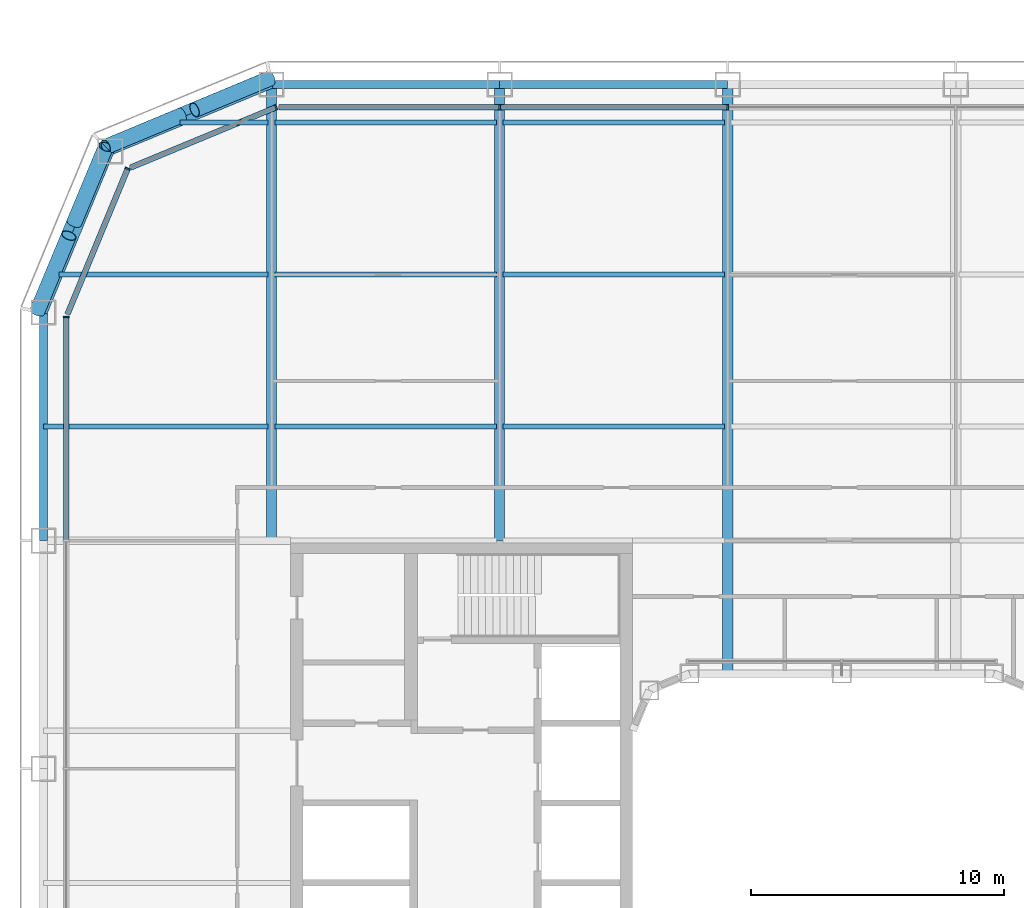
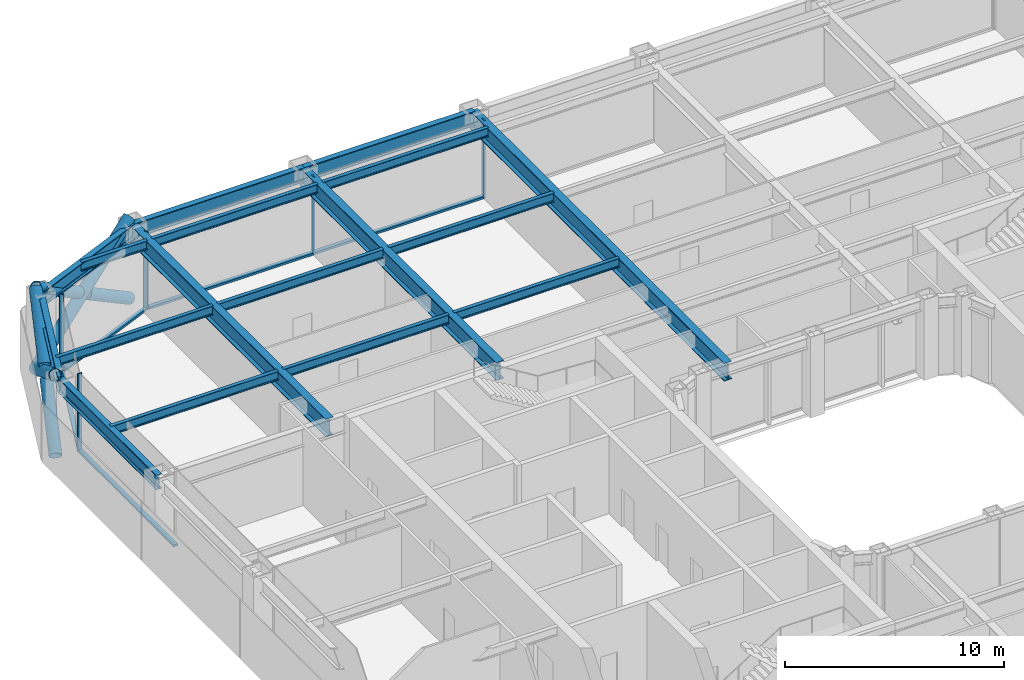
# One storey, part 7 of 30: 17 beams, 16 members, 4 elements without a shape of their own.
"""IFC4 building model written with IfcOpenShell, lengths in metres."""

from ifc_helpers import new_model, si_unit, direction, frame, origin, origin_2d, place, context, subcontext, project, spatial, rectangle, hollow_circle, i_section, extrude, material, layer, layer_set, material_profile, profile_set, type_object, element, aggregate, save


model = new_model("IFC4")

# Units and contexts
model_context = context("Model", 3, precision=1e-05, world=origin(), true_north=direction((0.0, 1.0)))
body_context = subcontext(model_context, "Body", "Model", "MODEL_VIEW")
ifc_project = project(units=[si_unit("LENGTHUNIT", "METRE"), si_unit("AREAUNIT", "SQUARE_METRE"), si_unit("VOLUMEUNIT", "CUBIC_METRE"), si_unit("PLANEANGLEUNIT", "RADIAN"), si_unit("MASSUNIT", "GRAM", prefix="KILO")], contexts=[model_context])

# Site, building, storey
site_placement = place(None, origin())
site = spatial("IfcSite", under=ifc_project, at=site_placement, CompositionType="ELEMENT")
building_placement = place(site_placement, origin())
building = spatial("IfcBuilding", under=site, at=building_placement, Name="Siwar Civic Tower", CompositionType="ELEMENT")
storey_placement = place(building_placement, frame((0.0, 0.0, 62.699951171875)))
storey = spatial("IfcBuildingStorey", under=building, at=storey_placement, Name="L13", CompositionType="ELEMENT", Elevation=62.699951171875)

# Curtain wall, members
ifc_material_1 = material(Name="Aluminium and glass", Category="aluminium")
ifc_layer_1 = layer(ifc_material_1, 0.219970703125)
ifc_layer_set_1 = layer_set([ifc_layer_1], Name="Aluminium and glass")
curtain_wall_type_1 = type_object("IfcCurtainWallType", Name="ENV-CW-A", PredefinedType="NOTDEFINED", material=ifc_layer_set_1)
curtain_wall_1_placement = place(storey_placement, origin())
curtain_wall_1 = element("IfcCurtainWall", 1, at=curtain_wall_1_placement, inside=storey, type_object=curtain_wall_type_1, Name="Curtain wall A N", PredefinedType="NOTDEFINED")
ifc_material_2 = material(Name="Aluminium 6063-T6", Category="aluminium")
ifc_material_profile_1 = material_profile(ifc_material_2, rectangle(XDim=0.219970703125, YDim=0.070068359375, at=origin_2d()), Name="AL 220x70")
ifc_profile_set_1 = profile_set([ifc_material_profile_1], Name="Aluminium 6063-T6")
member_type_1 = type_object("IfcMemberType", Name="ENV-MULLION-A", PredefinedType="MULLION", material=ifc_profile_set_1)
member_1_placement = place(storey_placement, frame((-4.5, 30.60009765625, 0.0), z_axis=(0.0, 0.0, 1.0), x_axis=(0.0, -1.0, 0.0)))
member_1 = element("IfcMember", 2, at=member_1_placement, type_object=member_type_1, Name="Mullion A N 4", PredefinedType="MULLION", context=body_context, shape_type="SweptSolid", body=[
    extrude(rectangle(XDim=0.219970703125, YDim=0.070068359375, at=origin_2d()), origin(), (0.0, 0.0, 1.0), 4.35009765625),
])
member_2_placement = place(storey_placement, frame((-13.5, 30.60009765625, 0.0), z_axis=(0.0, 0.0, 1.0), x_axis=(0.0, -1.0, 0.0)))
member_2 = element("IfcMember", 3, at=member_2_placement, type_object=member_type_1, Name="Mullion A N 5", PredefinedType="MULLION", context=body_context, shape_type="SweptSolid", body=[
    extrude(rectangle(XDim=0.219970703125, YDim=0.070068359375, at=origin_2d()), origin(), (0.0, 0.0, 1.0), 4.35009765625),
])

# Curtain wall, member
ifc_material_3 = material(Name="Aluminium clad insulated panel", Category="aluminium")
ifc_layer_2 = layer(ifc_material_3, 0.219970703125)
ifc_layer_set_2 = layer_set([ifc_layer_2], Name="Aluminium clad insulated panel")
curtain_wall_type_2 = type_object("IfcCurtainWallType", Name="ENV-CW-AX", PredefinedType="NOTDEFINED", material=ifc_layer_set_2)
curtain_wall_2_placement = place(storey_placement, origin())
curtain_wall_2 = element("IfcCurtainWall", 4, at=curtain_wall_2_placement, inside=storey, type_object=curtain_wall_type_2, Name="Curtain wall A NW1", PredefinedType="NOTDEFINED")
member_3_placement = place(storey_placement, frame((-22.321044921875, 30.60009765625, 0.0), z_axis=(0.0, 0.0, 1.0), x_axis=(0.382683432365, -0.923879532511, 0.0)))
member_3 = element("IfcMember", 5, at=member_3_placement, type_object=member_type_1, Name="Mullion A NW1 1", PredefinedType="MULLION", context=body_context, shape_type="SweptSolid", body=[
    extrude(rectangle(XDim=0.219970703125, YDim=0.070068359375, at=origin_2d()), origin(), (0.0, 0.0, 1.0), 4.35009765625),
])

curtain_wall_3_placement = place(storey_placement, origin())
curtain_wall_3 = element("IfcCurtainWall", 6, at=curtain_wall_3_placement, inside=storey, type_object=curtain_wall_type_2, Name="Curtain wall A NW2", PredefinedType="NOTDEFINED")
member_4_placement = place(storey_placement, frame((-28.175048828125, 28.175048828125, 0.0), z_axis=(0.0, 0.0, 1.0), x_axis=(0.923879532511, -0.382683432365, 0.0)))
member_4 = element("IfcMember", 7, at=member_4_placement, type_object=member_type_1, Name="Mullion A NW2 1", PredefinedType="MULLION", context=body_context, shape_type="SweptSolid", body=[
    extrude(rectangle(XDim=0.219970703125, YDim=0.070068359375, at=origin_2d()), origin(), (0.0, 0.0, 1.0), 4.35009765625),
])

curtain_wall_4_placement = place(storey_placement, origin())
curtain_wall_4 = element("IfcCurtainWall", 8, at=curtain_wall_4_placement, inside=storey, type_object=curtain_wall_type_1, Name="Curtain wall A W", PredefinedType="NOTDEFINED")
member_5_placement = place(storey_placement, frame((-30.60009765625, 22.321044921875, 0.0), z_axis=(0.0, 0.0, 1.0), x_axis=(1.0, 0.0, 0.0)))
member_5 = element("IfcMember", 9, at=member_5_placement, type_object=member_type_1, Name="Mullion A W 1", PredefinedType="MULLION", context=body_context, shape_type="SweptSolid", body=[
    extrude(rectangle(XDim=0.219970703125, YDim=0.070068359375, at=origin_2d()), origin(), (0.0, 0.0, 1.0), 4.35009765625),
])

# Member
ifc_material_4 = material(Name="Aluminium 6063-T6", Category="aluminium")
ifc_material_profile_2 = material_profile(ifc_material_4, rectangle(XDim=0.219970703125, YDim=0.1201171875, at=origin_2d()), Name="AL 220x120")
ifc_profile_set_2 = profile_set([ifc_material_profile_2], Name="Aluminium 6063-T6")
member_type_2 = type_object("IfcMemberType", Name="ENV-TRANSOM-A", PredefinedType="USERDEFINED", material=ifc_profile_set_2)
member_6_placement = place(storey_placement, frame((-4.534912109375, 30.60009765625, 0.06005859375), z_axis=(-1.0, 0.0, 0.0), x_axis=(0.0, -1.0, 0.0)))
member_6 = element("IfcMember", 10, at=member_6_placement, type_object=member_type_2, Name="Transom A N 4", ObjectType="TRANSOM", PredefinedType="USERDEFINED", context=body_context, shape_type="SweptSolid", body=[
    extrude(rectangle(XDim=0.219970703125, YDim=0.1201171875, at=origin_2d()), origin(), (0.0, 0.0, 1.0), 8.93017578125),
])

member_7_placement = place(storey_placement, frame((-13.534912109375, 30.60009765625, 0.06005859375), z_axis=(-1.0, 0.0, 0.0), x_axis=(0.0, -1.0, 0.0)))
member_7 = element("IfcMember", 11, at=member_7_placement, type_object=member_type_2, Name="Transom A N 5", ObjectType="TRANSOM", PredefinedType="USERDEFINED", context=body_context, shape_type="SweptSolid", body=[
    extrude(rectangle(XDim=0.219970703125, YDim=0.1201171875, at=origin_2d()), origin(), (0.0, 0.0, 1.0), 8.66357421875),
])

aggregate(curtain_wall_1, [member_1, member_2, member_6, member_7])

member_8_placement = place(storey_placement, frame((-22.353271484375, 30.586669921875, 0.06005859375), z_axis=(-0.923873326341, -0.382698415042, 0.0), x_axis=(0.382698415042, -0.923873326341, 0.0)))
member_8 = element("IfcMember", 12, at=member_8_placement, type_object=member_type_2, Name="Transom A NW1 1", ObjectType="TRANSOM", PredefinedType="USERDEFINED", context=body_context, shape_type="SweptSolid", body=[
    extrude(rectangle(XDim=0.219970703125, YDim=0.1201171875, at=origin_2d()), origin(), (0.0, 0.0, 1.0), 6.17919921875),
])

aggregate(curtain_wall_2, [member_3, member_8])

member_9_placement = place(storey_placement, frame((-28.1884765625, 28.142822265625, 0.06005859375), z_axis=(-0.382698415042, -0.923873326341, 0.0), x_axis=(0.923873326341, -0.382698415042, 0.0)))
member_9 = element("IfcMember", 13, at=member_9_placement, type_object=member_type_2, Name="Transom A NW2 1", ObjectType="TRANSOM", PredefinedType="USERDEFINED", context=body_context, shape_type="SweptSolid", body=[
    extrude(rectangle(XDim=0.219970703125, YDim=0.1201171875, at=origin_2d()), origin(), (0.0, 0.0, 1.0), 6.17919921875),
])

aggregate(curtain_wall_3, [member_4, member_9])

member_10_placement = place(storey_placement, frame((-30.60009765625, 22.285888671875, 0.06005859375), z_axis=(0.0, -1.0, 0.0), x_axis=(1.0, 0.0, 0.0)))
member_10 = element("IfcMember", 14, at=member_10_placement, type_object=member_type_2, Name="Transom A W 1", ObjectType="TRANSOM", PredefinedType="USERDEFINED", context=body_context, shape_type="SweptSolid", body=[
    extrude(rectangle(XDim=0.219970703125, YDim=0.1201171875, at=origin_2d()), origin(), (0.0, 0.0, 1.0), 8.7509765625),
])

aggregate(curtain_wall_4, [member_5, member_10])

# Members
ifc_material_5 = material(Name="Steel S355", Category="steel")
ifc_material_profile_3 = material_profile(ifc_material_5, hollow_circle(Radius=0.304931640625, WallThickness=0.030029296875, at=origin_2d()), Name="CHS610x30")
ifc_profile_set_3 = profile_set([ifc_material_profile_3], Name="Steel S355")
member_type_3 = type_object("IfcMemberType", Name="STR-BR-CHS610x30", PredefinedType="BRACE", material=ifc_profile_set_3)
member_11_placement = place(storey_placement, frame((-29.040771484375, 29.040771484375, 0.0), z_axis=(-0.323905527954, -0.777554562952, 0.538975055633), x_axis=(0.923108759191, -0.384538969033, 0.0)))
element("IfcMember", 15, at=member_11_placement, inside=storey, type_object=member_type_3, Name="L13/brc/ANW1-12-0-1", PredefinedType="BRACE", context=body_context, shape_type="SweptSolid", body=[
    extrude(hollow_circle(Radius=0.304931640625, WallThickness=0.030029296875, at=origin_2d()), origin(), (0.0, 0.0, 1.0), 8.34912109375),
])
member_12_placement = place(storey_placement, frame((-31.7451171875, 22.548828125, 0.0), z_axis=(0.323882123145, 0.777533059308, 0.539020140617), x_axis=(-0.923114847559, 0.384524353215, 0.0)))
element("IfcMember", 16, at=member_12_placement, inside=storey, type_object=member_type_3, Name="L13/brc/ANW1-12-0-2", PredefinedType="BRACE", context=body_context, shape_type="SweptSolid", body=[
    extrude(hollow_circle(Radius=0.304931640625, WallThickness=0.030029296875, at=origin_2d()), origin(), (0.0, 0.0, 1.0), 3.843505859375),
])
member_13_placement = place(storey_placement, frame((-30.285888671875, 26.052001953125, 2.428466796875), z_axis=(0.323934068367, 0.777568797048, 0.538937366685), x_axis=(-0.923099230484, 0.384561842466, 0.0)))
element("IfcMember", 17, at=member_13_placement, inside=storey, type_object=member_type_3, Name="L13/brc/ANW1-12-0-3", PredefinedType="BRACE", context=body_context, shape_type="SweptSolid", body=[
    extrude(hollow_circle(Radius=0.304931640625, WallThickness=0.030029296875, at=origin_2d()), origin(), (0.0, 0.0, 1.0), 3.84375),
])
member_14_placement = place(storey_placement, frame((-29.040771484375, 29.040771484375, 0.0), z_axis=(0.777554562952, 0.323905527954, 0.538975055633), x_axis=(-0.384538969033, 0.923108759191, 0.0)))
element("IfcMember", 18, at=member_14_placement, inside=storey, type_object=member_type_3, Name="L13/brc/ANW1-12-0-0", PredefinedType="BRACE", context=body_context, shape_type="SweptSolid", body=[
    extrude(hollow_circle(Radius=0.304931640625, WallThickness=0.030029296875, at=origin_2d()), origin(), (0.0, 0.0, 1.0), 8.34912109375),
])
member_15_placement = place(storey_placement, frame((-22.548828125, 31.7451171875, 0.0), z_axis=(-0.777533059308, -0.323882123145, 0.539020140617), x_axis=(0.384524353215, -0.923114847559, 0.0)))
element("IfcMember", 19, at=member_15_placement, inside=storey, type_object=member_type_3, Name="L13/brc/ANW1-12-0-4", PredefinedType="BRACE", context=body_context, shape_type="SweptSolid", body=[
    extrude(hollow_circle(Radius=0.304931640625, WallThickness=0.030029296875, at=origin_2d()), origin(), (0.0, 0.0, 1.0), 3.843505859375),
])
member_16_placement = place(storey_placement, frame((-26.052001953125, 30.285888671875, 2.428466796875), z_axis=(-0.777568797048, -0.323934068367, 0.538937366685), x_axis=(0.384561842466, -0.923099230484, 0.0)))
element("IfcMember", 20, at=member_16_placement, inside=storey, type_object=member_type_3, Name="L13/brc/ANW1-12-0-5", PredefinedType="BRACE", context=body_context, shape_type="SweptSolid", body=[
    extrude(hollow_circle(Radius=0.304931640625, WallThickness=0.030029296875, at=origin_2d()), origin(), (0.0, 0.0, 1.0), 3.84375),
])

# Beams
ifc_material_6 = material(Name="Steel S355", Category="steel")
ifc_material_profile_4 = material_profile(ifc_material_6, i_section(OverallWidth=0.199951171875, OverallDepth=0.5, WebThickness=0.01025390625, FlangeThickness=0.01611328125, FilletRadius=0.02099609375, at=origin_2d()), Name="IPE500")
ifc_profile_set_4 = profile_set([ifc_material_profile_4], Name="Steel S355")
beam_type_1 = type_object("IfcBeamType", Name="STR-FB-IPE500", PredefinedType="JOIST", material=ifc_profile_set_4)
beam_1_placement = place(storey_placement, frame((-31.5, 18.0, 4.10009765625), z_axis=(1.0, 0.0, 0.0), x_axis=(0.0, 1.0, 0.0)))
element("IfcBeam", 21, at=beam_1_placement, inside=storey, type_object=beam_type_1, Name="L13/bm/F046", PredefinedType="JOIST", context=body_context, shape_type="SweptSolid", body=[
    extrude(i_section(OverallWidth=0.199951171875, OverallDepth=0.5, WebThickness=0.01025390625, FlangeThickness=0.01611328125, FilletRadius=0.02099609375, at=origin_2d()), origin(), (0.0, 0.0, 1.0), 8.8701171875),
])
for number, where, z_axis, x_axis, name in (
    (22, (-22.3701171875, 18.0, 4.10009765625), (1.0, 0.0, 0.0), (0.0, 1.0, 0.0), "L13/bm/F047"),
    (23, (-13.3701171875, 18.0, 4.10009765625), (1.0, 0.0, 0.0), (0.0, 1.0, 0.0), "L13/bm/F048"),
):
    element("IfcBeam", number, at=place(storey_placement, frame(where, z_axis=z_axis, x_axis=x_axis)), inside=storey, type_object=beam_type_1, Name=name, PredefinedType="JOIST", context=body_context, shape_type="SweptSolid", body=[
        extrude(i_section(OverallWidth=0.199951171875, OverallDepth=0.5, WebThickness=0.01025390625, FlangeThickness=0.01611328125, FilletRadius=0.02099609375, at=origin_2d()), origin(), (0.0, 0.0, 1.0), 8.740234375),
    ])
beam_2_placement = place(storey_placement, frame((-30.878662109375, 24.0, 4.10009765625), z_axis=(1.0, 0.0, 0.0), x_axis=(0.0, 1.0, 0.0)))
element("IfcBeam", 24, at=beam_2_placement, inside=storey, type_object=beam_type_1, Name="L13/bm/F053", PredefinedType="JOIST", context=body_context, shape_type="SweptSolid", body=[
    extrude(i_section(OverallWidth=0.199951171875, OverallDepth=0.5, WebThickness=0.01025390625, FlangeThickness=0.01611328125, FilletRadius=0.02099609375, at=origin_2d()), origin(), (0.0, 0.0, 1.0), 8.248779296875),
])
for number, where, z_axis, x_axis, name in (
    (25, (-22.3701171875, 24.0, 4.10009765625), (1.0, 0.0, 0.0), (0.0, 1.0, 0.0), "L13/bm/F054"),
    (26, (-13.3701171875, 24.0, 4.10009765625), (1.0, 0.0, 0.0), (0.0, 1.0, 0.0), "L13/bm/F055"),
):
    element("IfcBeam", number, at=place(storey_placement, frame(where, z_axis=z_axis, x_axis=x_axis)), inside=storey, type_object=beam_type_1, Name=name, PredefinedType="JOIST", context=body_context, shape_type="SweptSolid", body=[
        extrude(i_section(OverallWidth=0.199951171875, OverallDepth=0.5, WebThickness=0.01025390625, FlangeThickness=0.01611328125, FilletRadius=0.02099609375, at=origin_2d()), origin(), (0.0, 0.0, 1.0), 8.740234375),
    ])
beam_3_placement = place(storey_placement, frame((-26.121337890625, 30.0, 4.10009765625), z_axis=(1.0, 0.0, 0.0), x_axis=(0.0, 1.0, 0.0)))
element("IfcBeam", 27, at=beam_3_placement, inside=storey, type_object=beam_type_1, Name="L13/bm/F060", PredefinedType="JOIST", context=body_context, shape_type="SweptSolid", body=[
    extrude(i_section(OverallWidth=0.199951171875, OverallDepth=0.5, WebThickness=0.01025390625, FlangeThickness=0.01611328125, FilletRadius=0.02099609375, at=origin_2d()), origin(), (0.0, 0.0, 1.0), 3.491455078125),
])
for number, where, z_axis, x_axis, name in (
    (28, (-22.3701171875, 30.0, 4.10009765625), (1.0, 0.0, 0.0), (0.0, 1.0, 0.0), "L13/bm/F061"),
    (29, (-13.3701171875, 30.0, 4.10009765625), (1.0, 0.0, 0.0), (0.0, 1.0, 0.0), "L13/bm/F062"),
):
    element("IfcBeam", number, at=place(storey_placement, frame(where, z_axis=z_axis, x_axis=x_axis)), inside=storey, type_object=beam_type_1, Name=name, PredefinedType="JOIST", context=body_context, shape_type="SweptSolid", body=[
        extrude(i_section(OverallWidth=0.199951171875, OverallDepth=0.5, WebThickness=0.01025390625, FlangeThickness=0.01611328125, FilletRadius=0.02099609375, at=origin_2d()), origin(), (0.0, 0.0, 1.0), 8.740234375),
    ])
ifc_material_7 = material(Name="Steel S355", Category="steel")
ifc_material_profile_5 = material_profile(ifc_material_7, i_section(OverallWidth=0.39990234375, OverallDepth=1.0, WebThickness=0.01611328125, FlangeThickness=0.0400390625, at=origin_2d()), Name="PG1000x400x16x40")
ifc_profile_set_5 = profile_set([ifc_material_profile_5], Name="Steel S355")
beam_type_2 = type_object("IfcBeamType", Name="STR-PG-PG1000x400x16x40", PredefinedType="BEAM", material=ifc_profile_set_5)
for number, where, z_axis, x_axis, name in (
    (30, (-22.5, 13.5, 3.85009765625), (0.0, 1.0, 0.0), (-1.0, 0.0, 0.0), "L13/bm/G02"),
    (31, (-13.5, 13.5, 3.85009765625), (0.0, 1.0, 0.0), (-1.0, 0.0, 0.0), "L13/bm/G04"),
):
    element("IfcBeam", number, at=place(storey_placement, frame(where, z_axis=z_axis, x_axis=x_axis)), inside=storey, type_object=beam_type_2, Name=name, PredefinedType="BEAM", context=body_context, shape_type="SweptSolid", body=[
        extrude(i_section(OverallWidth=0.39990234375, OverallDepth=1.0, WebThickness=0.01611328125, FlangeThickness=0.0400390625, at=origin_2d()), origin(), (0.0, 0.0, 1.0), 18.0),
    ])
beam_4_placement = place(storey_placement, frame((-4.5, 8.25, 3.85009765625), z_axis=(0.0, 1.0, 0.0), x_axis=(-1.0, 0.0, 0.0)))
element("IfcBeam", 32, at=beam_4_placement, inside=storey, type_object=beam_type_2, Name="L13/bm/G06", PredefinedType="BEAM", context=body_context, shape_type="SweptSolid", body=[
    extrude(i_section(OverallWidth=0.39990234375, OverallDepth=1.0, WebThickness=0.01611328125, FlangeThickness=0.0400390625, at=origin_2d()), origin(), (0.0, 0.0, 1.0), 23.25),
])
ifc_material_8 = material(Name="Steel S355", Category="steel")
ifc_material_profile_6 = material_profile(ifc_material_8, i_section(OverallWidth=0.302978515625, OverallDepth=0.81396484375, WebThickness=0.02099609375, FlangeThickness=0.0400390625, FilletRadius=0.030029296875, at=origin_2d()), Name="HEM800")
ifc_profile_set_6 = profile_set([ifc_material_profile_6], Name="Steel S355")
beam_type_3 = type_object("IfcBeamType", Name="STR-SB-HEM800", PredefinedType="BEAM", material=ifc_profile_set_6)
for number, where, z_axis, x_axis, name in (
    (33, (-4.5, 31.5, 3.943115234375), (-1.0, 0.0, 0.0), (0.0, -1.0, 0.0), "L13/bm/SN-3"),
    (34, (-13.5, 31.5, 3.943115234375), (-1.0, 0.0, 0.0), (0.0, -1.0, 0.0), "L13/bm/SN-4"),
):
    element("IfcBeam", number, at=place(storey_placement, frame(where, z_axis=z_axis, x_axis=x_axis)), inside=storey, type_object=beam_type_3, Name=name, PredefinedType="BEAM", context=body_context, shape_type="SweptSolid", body=[
        extrude(i_section(OverallWidth=0.302978515625, OverallDepth=0.81396484375, WebThickness=0.02099609375, FlangeThickness=0.0400390625, FilletRadius=0.030029296875, at=origin_2d()), origin(), (0.0, 0.0, 1.0), 9.0),
    ])
for number, where, z_axis, x_axis, name in (
    (35, (-22.5, 31.5, 3.943115234375), (-0.923883353507, -0.382674207535, 0.0), (0.382674207535, -0.923883353507, 0.0), "L13/bm/SNW1-0"),
    (36, (-28.864013671875, 28.864013671875, 3.943115234375), (-0.382674207535, -0.923883353507, 0.0), (0.923883353507, -0.382674207535, 0.0), "L13/bm/SNW2-0"),
):
    element("IfcBeam", number, at=place(storey_placement, frame(where, z_axis=z_axis, x_axis=x_axis)), inside=storey, type_object=beam_type_3, Name=name, PredefinedType="BEAM", context=body_context, shape_type="SweptSolid", body=[
        extrude(i_section(OverallWidth=0.302978515625, OverallDepth=0.81396484375, WebThickness=0.02099609375, FlangeThickness=0.0400390625, FilletRadius=0.030029296875, at=origin_2d()), origin(), (0.0, 0.0, 1.0), 6.888427734375),
    ])
beam_5_placement = place(storey_placement, frame((-31.5, 22.5, 3.943115234375), z_axis=(0.0, -1.0, 0.0), x_axis=(1.0, 0.0, 0.0)))
element("IfcBeam", 37, at=beam_5_placement, inside=storey, type_object=beam_type_3, Name="L13/bm/SW-0", PredefinedType="BEAM", context=body_context, shape_type="SweptSolid", body=[
    extrude(i_section(OverallWidth=0.302978515625, OverallDepth=0.81396484375, WebThickness=0.02099609375, FlangeThickness=0.0400390625, FilletRadius=0.030029296875, at=origin_2d()), origin(), (0.0, 0.0, 1.0), 9.0),
])

save(model, "model.ifc")
